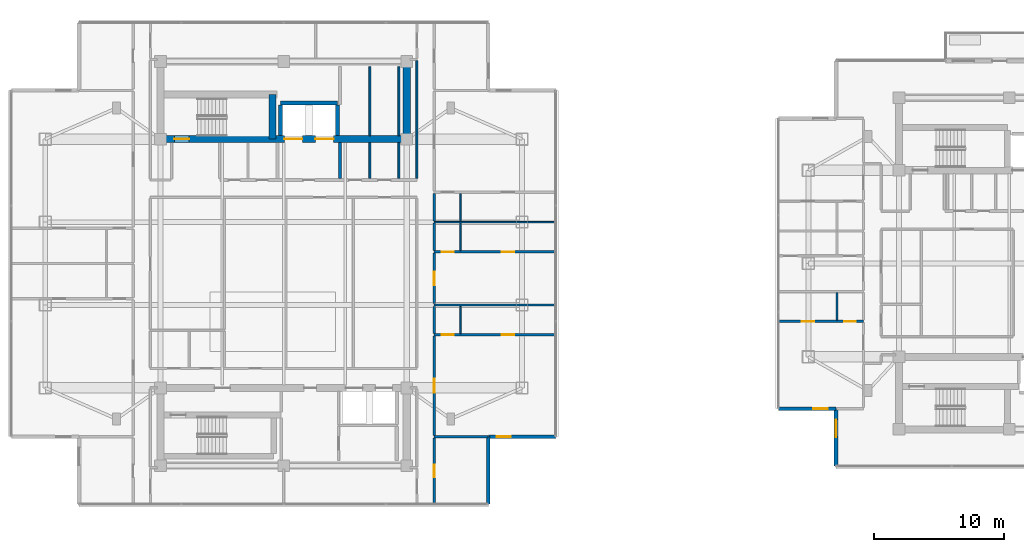
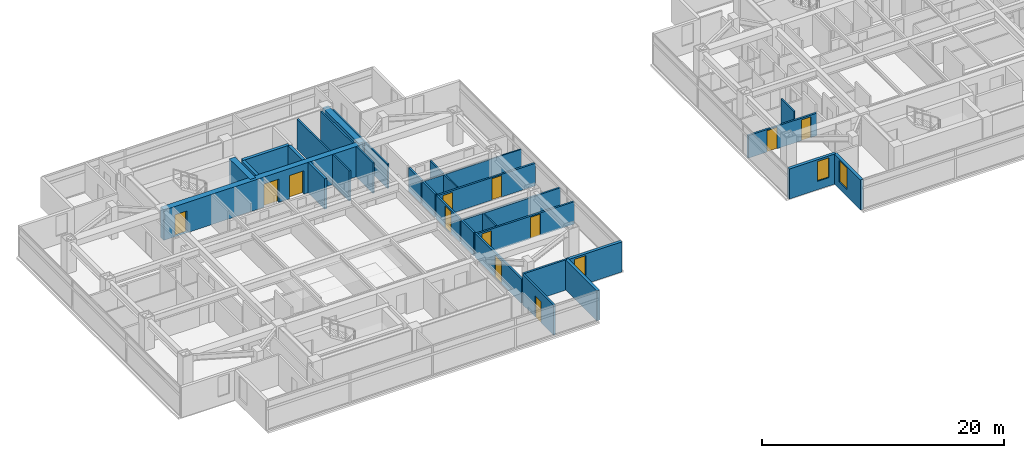
# One storey, part 15 of 26: 32 walls, 12 doors, 3 windows, 15 openings.
"""IFC4 building model written with IfcOpenShell, lengths in metres."""

from ifc_helpers import new_model, si_unit, direction, frame, frame_2d, origin, place, context, subcontext, project, spatial, rectangle, extrude, material, layer, layer_set, type_object, element, fill, save


model = new_model("IFC4")

# Units and contexts
model_context = context("Model", 3, precision=1e-05, world=origin(), true_north=direction((0.0, 1.0)))
body_context = subcontext(model_context, "Body", "Model", "MODEL_VIEW")
ifc_project = project(units=[si_unit("LENGTHUNIT", "METRE"), si_unit("AREAUNIT", "SQUARE_METRE"), si_unit("VOLUMEUNIT", "CUBIC_METRE"), si_unit("PLANEANGLEUNIT", "RADIAN"), si_unit("MASSUNIT", "GRAM", prefix="KILO")], contexts=[model_context])

# Site, building, storey
site_placement = place(None, origin())
site = spatial("IfcSite", under=ifc_project, at=site_placement, CompositionType="ELEMENT")
building_placement = place(site_placement, origin())
building = spatial("IfcBuilding", under=site, at=building_placement, Name="Mirazonda Arch Towers", CompositionType="ELEMENT")
storey_placement = place(building_placement, frame((0.0, 0.0, 203.14990234375)))
storey = spatial("IfcBuildingStorey", under=building, at=storey_placement, Name="L58", CompositionType="ELEMENT", Elevation=203.14990234375)

# Wall
ifc_material_1 = material(Name="Concrete C50/60", Category="concrete")
ifc_layer_1 = layer(ifc_material_1, 0.550048828125, Name="WALL-CORE-550")
ifc_layer_set_1 = layer_set([ifc_layer_1], Name="Concrete C50/60")
wall_type_1 = type_object("IfcWallType", Name="WALL-CORE-550", PredefinedType="SHEAR", material=ifc_layer_set_1)
wall_1_placement = place(storey_placement, frame((30.0, 37.60009765625, 0.0), z_axis=(0.0, 0.0, 1.0), x_axis=(0.0, 1.0, 0.0)))
element("IfcWall", 1, at=wall_1_placement, inside=storey, type_object=wall_type_1, Name="L58 T1N-E Core Shear Wall", PredefinedType="SHEAR", context=body_context, shape_type="SweptSolid", body=[
    extrude(rectangle(XDim=6.0, YDim=0.550048828125, at=frame_2d((3.0, 0.0))), origin(), (0.0, 0.0, 1.0), 3.050048828125),
])

# Wall, openings, doors
wall_2_placement = place(storey_placement, frame((11.0, 37.60009765625, 0.0), z_axis=(0.0, 0.0, 1.0), x_axis=(1.0, 0.0, 0.0)))
wall_2 = element("IfcWall", 2, at=wall_2_placement, inside=storey, type_object=wall_type_1, Name="L58 T1N-S Core Shear Wall", PredefinedType="SHEAR", context=body_context, shape_type="SweptSolid", body=[
    extrude(rectangle(XDim=19.0, YDim=0.550048828125, at=frame_2d((9.5, 0.0))), origin(), (0.0, 0.0, 1.0), 3.050048828125),
])
opening_1_placement = place(wall_2_placement, frame((1.06005859375, 0.0, 0.0)))
opening_1 = element("IfcOpeningElement", 3, at=opening_1_placement, cuts=wall_2, Name="Opening DR-135", PredefinedType="OPENING", context=body_context, shape_type="SweptSolid", body=[
    extrude(rectangle(XDim=1.14990234375, YDim=2.199951171875, at=frame_2d((0.574951171875, 1.10009765625))), frame((0.0, 0.284912109375, 0.0), z_axis=(0.0, -1.0, 0.0), x_axis=(1.0, 0.0, 0.0)), (0.0, 0.0, 1.0), 0.570068359375),
])
opening_2_placement = place(wall_2_placement, frame((9.550048828125, 0.0, 0.0)))
opening_2 = element("IfcOpeningElement", 4, at=opening_2_placement, cuts=wall_2, Name="Opening LD-112", PredefinedType="OPENING", context=body_context, shape_type="SweptSolid", body=[
    extrude(rectangle(XDim=1.39990234375, YDim=2.35009765625, at=frame_2d((0.699951171875, 1.175048828125))), frame((0.0, 0.284912109375, 0.0), z_axis=(0.0, -1.0, 0.0), x_axis=(1.0, 0.0, 0.0)), (0.0, 0.0, 1.0), 0.570068359375),
])
opening_3_placement = place(wall_2_placement, frame((11.949951171875, 0.0, 0.0)))
opening_3 = element("IfcOpeningElement", 5, at=opening_3_placement, cuts=wall_2, Name="Opening LD-112", PredefinedType="OPENING", context=body_context, shape_type="SweptSolid", body=[
    extrude(rectangle(XDim=1.39990234375, YDim=2.35009765625, at=frame_2d((0.699951171875, 1.175048828125))), frame((0.0, 0.284912109375, 0.0), z_axis=(0.0, -1.0, 0.0), x_axis=(1.0, 0.0, 0.0)), (0.0, 0.0, 1.0), 0.570068359375),
])
ifc_material_2 = material(Name="Architectural Brushed Steel S355", Category="steel")
door_type_1 = type_object("IfcDoorType", Name="DOOR-LIFT-FFL-1400", OperationType="NOTDEFINED", PredefinedType="DOOR", material=ifc_material_2)
door_1_placement = place(opening_2_placement, origin())
door_1 = element("IfcDoor", 6, at=door_1_placement, inside=storey, type_object=door_type_1, Name="L58 Lift Landing Sliding Door FFL-T1", OperationType="DOUBLE_DOOR_SLIDING", OverallHeight=2.35009765625, OverallWidth=1.39990234375, PredefinedType="DOOR", context=body_context, shape_type="SweptSolid", body=[
    extrude(rectangle(XDim=1.39990234375, YDim=2.35009765625, at=frame_2d((0.699951171875, 1.175048828125))), frame((0.0, 0.02490234375, 0.0), z_axis=(0.0, -1.0, 0.0), x_axis=(1.0, 0.0, 0.0)), (0.0, 0.0, 1.0), 0.050048828125),
])
fill(opening_2, door_1)
door_2_placement = place(opening_3_placement, origin())
door_2 = element("IfcDoor", 7, at=door_2_placement, inside=storey, type_object=door_type_1, Name="L58 Lift Landing Sliding Door SVL-T1", OperationType="DOUBLE_DOOR_SLIDING", OverallHeight=2.35009765625, OverallWidth=1.39990234375, PredefinedType="DOOR", context=body_context, shape_type="SweptSolid", body=[
    extrude(rectangle(XDim=1.39990234375, YDim=2.35009765625, at=frame_2d((0.699951171875, 1.175048828125))), frame((0.0, 0.02490234375, 0.0), z_axis=(0.0, -1.0, 0.0), x_axis=(1.0, 0.0, 0.0)), (0.0, 0.0, 1.0), 0.050048828125),
])
fill(opening_3, door_2)
door_type_2 = type_object("IfcDoorType", Name="DOOR-STAIR-FD90-1150", OperationType="NOTDEFINED", PredefinedType="DOOR", material=ifc_material_2)
door_3_placement = place(opening_1_placement, origin())
door_3 = element("IfcDoor", 8, at=door_3_placement, inside=storey, type_object=door_type_2, Name="L58 Protected Exit Stair North Door", OperationType="SINGLE_SWING_LEFT", OverallHeight=2.199951171875, OverallWidth=1.14990234375, PredefinedType="DOOR", context=body_context, shape_type="SweptSolid", body=[
    extrude(rectangle(XDim=1.14990234375, YDim=2.199951171875, at=frame_2d((0.574951171875, 1.10009765625))), frame((0.0, 0.02490234375, 0.0), z_axis=(0.0, -1.0, 0.0), x_axis=(1.0, 0.0, 0.0)), (0.0, 0.0, 1.0), 0.050048828125),
])
fill(opening_1, door_3)

# Wall
wall_3_placement = place(storey_placement, frame((19.64990234375, 37.60009765625, 0.0), z_axis=(0.0, 0.0, 1.0), x_axis=(0.0, 1.0, 0.0)))
element("IfcWall", 9, at=wall_3_placement, inside=storey, type_object=wall_type_1, Name="L58 T1N-STE Core Shear Wall", PredefinedType="SHEAR", context=body_context, shape_type="SweptSolid", body=[
    extrude(rectangle(XDim=3.44287109375, YDim=0.550048828125, at=frame_2d((1.721435546875, 0.0))), origin(), (0.0, 0.0, 1.0), 3.050048828125),
])

# Wall, opening, window
ifc_material_3 = material(Name="Precast Concrete C40/50", Category="concrete")
ifc_layer_2 = layer(ifc_material_3, 0.280029296875, Name="WALL-EXT-WALL-280")
ifc_layer_set_2 = layer_set([ifc_layer_2], Name="Precast Concrete C40/50")
wall_type_2 = type_object("IfcWallType", Name="WALL-EXT-WALL-280", PredefinedType="SOLIDWALL", material=ifc_layer_set_2)
wall_4_placement = place(storey_placement, frame((36.294921875, 14.636962890625, 0.0), z_axis=(0.0, 0.0, 1.0), x_axis=(1.0, 0.0, 0.0)))
wall_4 = element("IfcWall", 10, at=wall_4_placement, inside=storey, type_object=wall_type_2, Name="L58 T1 Corner Notch Return Wall WL-L58-T1-CSE1", PredefinedType="SOLIDWALL", context=body_context, shape_type="SweptSolid", body=[
    extrude(rectangle(XDim=5.215087890625, YDim=0.280029296875, at=frame_2d((2.607421875, 0.0))), origin(), (0.0, 0.0, 1.0), 3.030029296875),
])
opening_4_placement = place(wall_4_placement, frame((0.64990234375, 0.0, 0.85009765625)))
opening_4 = element("IfcOpeningElement", 11, at=opening_4_placement, cuts=wall_4, Name="Opening WN-108", PredefinedType="OPENING", context=body_context, shape_type="SweptSolid", body=[
    extrude(rectangle(XDim=1.10009765625, YDim=2.0, at=frame_2d((0.550048828125, 1.0))), frame((0.0, 0.14990234375, 0.0), z_axis=(0.0, -1.0, 0.0), x_axis=(1.0, 0.0, 0.0)), (0.0, 0.0, 1.0), 0.300048828125),
])
ifc_material_4 = material(Name="Insulated Low-E Solar Glass", Category="glass")
window_type_1 = type_object("IfcWindowType", Name="WIN-NOTCH-1100x2000", PartitioningType="SINGLE_PANEL", PredefinedType="WINDOW", material=ifc_material_4)
window_1_placement = place(opening_4_placement, origin())
window_1 = element("IfcWindow", 12, at=window_1_placement, inside=storey, type_object=window_type_1, Name="L58 Punched Facade Window WN-L58-T1-CSE1", OverallHeight=2.0, OverallWidth=1.10009765625, PartitioningType="SINGLE_PANEL", PredefinedType="WINDOW", context=body_context, shape_type="SweptSolid", body=[
    extrude(rectangle(XDim=1.10009765625, YDim=2.0, at=frame_2d((0.550048828125, 1.0))), frame((0.0, 0.030029296875, 0.0), z_axis=(0.0, -1.0, 0.0), x_axis=(1.0, 0.0, 0.0)), (0.0, 0.0, 1.0), 0.06005859375),
])
fill(opening_4, window_1)

# Wall
wall_5_placement = place(storey_placement, frame((36.294921875, 9.422119140625, 0.0), z_axis=(0.0, 0.0, 1.0), x_axis=(0.0, 1.0, 0.0)))
element("IfcWall", 13, at=wall_5_placement, inside=storey, type_object=wall_type_2, Name="L58 T1 Corner Notch Return Wall WL-L58-T1-CSE2", PredefinedType="SOLIDWALL", context=body_context, shape_type="SweptSolid", body=[
    extrude(rectangle(XDim=5.21484375, YDim=0.280029296875, at=frame_2d((2.607421875, 0.0))), origin(), (0.0, 0.0, 1.0), 3.030029296875),
])

# Wall, opening, window
wall_6_placement = place(storey_placement, frame((63.13427734375, 16.801513671875, 0.0), z_axis=(0.0, 0.0, 1.0), x_axis=(0.0, -1.0, 0.0)))
wall_6 = element("IfcWall", 14, at=wall_6_placement, inside=storey, type_object=wall_type_2, Name="L58 T2 Notched SW Corner Wall WL-L58-T2-CSW", PredefinedType="SOLIDWALL", context=body_context, shape_type="SweptSolid", body=[
    extrude(rectangle(XDim=4.439697265625, YDim=0.280029296875, at=frame_2d((2.2197265625, 0.0))), origin(), (0.0, 0.0, 1.0), 3.030029296875),
])
opening_5_placement = place(wall_6_placement, frame((0.85009765625, 0.0, 0.679931640625)))
opening_5 = element("IfcOpeningElement", 15, at=opening_5_placement, cuts=wall_6, Name="Opening WN-104", PredefinedType="OPENING", context=body_context, shape_type="SweptSolid", body=[
    extrude(rectangle(XDim=1.35009765625, YDim=2.199951171875, at=frame_2d((0.675048828125, 1.10009765625))), frame((0.0, 0.14990234375, 0.0), z_axis=(0.0, -1.0, 0.0), x_axis=(1.0, 0.0, 0.0)), (0.0, 0.0, 1.0), 0.300048828125),
])
window_type_2 = type_object("IfcWindowType", Name="WIN-RES-1350x2200", PartitioningType="SINGLE_PANEL", PredefinedType="WINDOW", material=ifc_material_4)
window_2_placement = place(opening_5_placement, origin())
window_2 = element("IfcWindow", 16, at=window_2_placement, inside=storey, type_object=window_type_2, Name="L58 Punched Facade Window WN-L58-T2-CSW", OverallHeight=2.199951171875, OverallWidth=1.35009765625, PartitioningType="SINGLE_PANEL", PredefinedType="WINDOW", context=body_context, shape_type="SweptSolid", body=[
    extrude(rectangle(XDim=1.35009765625, YDim=2.199951171875, at=frame_2d((0.675048828125, 1.10009765625))), frame((0.0, 0.030029296875, 0.0), z_axis=(0.0, -1.0, 0.0), x_axis=(1.0, 0.0, 0.0)), (0.0, 0.0, 1.0), 0.06005859375),
])
fill(opening_5, window_2)

wall_7_placement = place(storey_placement, frame((58.694580078125, 16.801513671875, 0.0), z_axis=(0.0, 0.0, 1.0), x_axis=(1.0, 0.0, 0.0)))
wall_7 = element("IfcWall", 17, at=wall_7_placement, inside=storey, type_object=wall_type_2, Name="L58 T2 Corner Notch Return Wall WL-L58-T2-CSW2", PredefinedType="SOLIDWALL", context=body_context, shape_type="SweptSolid", body=[
    extrude(rectangle(XDim=4.439697265625, YDim=0.280029296875, at=frame_2d((2.2197265625, 0.0))), origin(), (0.0, 0.0, 1.0), 3.030029296875),
])
opening_6_placement = place(wall_7_placement, frame((2.68994140625, 0.0, 0.85009765625)))
opening_6 = element("IfcOpeningElement", 18, at=opening_6_placement, cuts=wall_7, Name="Opening WN-108", PredefinedType="OPENING", context=body_context, shape_type="SweptSolid", body=[
    extrude(rectangle(XDim=1.10009765625, YDim=2.0, at=frame_2d((0.550048828125, 1.0))), frame((0.0, 0.14990234375, 0.0), z_axis=(0.0, -1.0, 0.0), x_axis=(1.0, 0.0, 0.0)), (0.0, 0.0, 1.0), 0.300048828125),
])
window_3_placement = place(opening_6_placement, origin())
window_3 = element("IfcWindow", 19, at=window_3_placement, inside=storey, type_object=window_type_1, Name="L58 Punched Facade Window WN-L58-T2-CSW2", OverallHeight=2.0, OverallWidth=1.10009765625, PartitioningType="SINGLE_PANEL", PredefinedType="WINDOW", context=body_context, shape_type="SweptSolid", body=[
    extrude(rectangle(XDim=1.10009765625, YDim=2.0, at=frame_2d((0.550048828125, 1.0))), frame((0.0, 0.030029296875, 0.0), z_axis=(0.0, -1.0, 0.0), x_axis=(1.0, 0.0, 0.0)), (0.0, 0.0, 1.0), 0.06005859375),
])
fill(opening_6, window_3)

# Walls
ifc_material_5 = material(Name="Concrete C40/50", Category="concrete")
ifc_layer_3 = layer(ifc_material_5, 0.219970703125, Name="WALL-FFL-220")
ifc_layer_set_3 = layer_set([ifc_layer_3], Name="Concrete C40/50")
wall_type_3 = type_object("IfcWallType", Name="WALL-FFL-220", PredefinedType="SOLIDWALL", material=ifc_layer_set_3)
wall_8_placement = place(storey_placement, frame((24.85009765625, 34.570068359375, 0.0), z_axis=(0.0, 0.0, 1.0), x_axis=(0.0, 1.0, 0.0)))
element("IfcWall", 20, at=wall_8_placement, inside=storey, type_object=wall_type_3, Name="L58 Interior Partition 089", PredefinedType="SOLIDWALL", context=body_context, shape_type="SweptSolid", body=[
    extrude(rectangle(XDim=2.760009765625, YDim=0.219970703125, at=frame_2d((1.3798828125, 0.0))), origin(), (0.0, 0.0, 1.0), 3.050048828125),
])
ifc_material_6 = material(Name="Fire-Rated Gypsum Stud Partition")
ifc_layer_4 = layer(ifc_material_6, 0.14990234375, Name="WALL-PART-CORR-150")
ifc_layer_set_4 = layer_set([ifc_layer_4], Name="Fire-Rated Gypsum Stud Partition")
wall_type_4 = type_object("IfcWallType", Name="WALL-PART-CORR-150", PredefinedType="PARTITIONING", material=ifc_layer_set_4)
wall_9_placement = place(storey_placement, frame((27.14990234375, 34.570068359375, 0.0), z_axis=(0.0, 0.0, 1.0), x_axis=(0.0, 1.0, 0.0)))
element("IfcWall", 21, at=wall_9_placement, inside=storey, type_object=wall_type_4, Name="L58 Interior Partition 092", PredefinedType="PARTITIONING", context=body_context, shape_type="SweptSolid", body=[
    extrude(rectangle(XDim=2.760009765625, YDim=0.14990234375, at=frame_2d((1.3798828125, 0.0))), origin(), (0.0, 0.0, 1.0), 3.050048828125),
])
wall_10_placement = place(storey_placement, frame((27.14990234375, 37.8701171875, 0.0), z_axis=(0.0, 0.0, 1.0), x_axis=(0.0, 1.0, 0.0)))
element("IfcWall", 22, at=wall_10_placement, inside=storey, type_object=wall_type_4, Name="L58 Interior Partition 093", PredefinedType="PARTITIONING", context=body_context, shape_type="SweptSolid", body=[
    extrude(rectangle(XDim=5.329833984375, YDim=0.14990234375, at=frame_2d((2.6650390625, 0.0))), origin(), (0.0, 0.0, 1.0), 3.050048828125),
])
wall_11_placement = place(storey_placement, frame((29.39990234375, 34.570068359375, 0.0), z_axis=(0.0, 0.0, 1.0), x_axis=(0.0, 1.0, 0.0)))
element("IfcWall", 23, at=wall_11_placement, inside=storey, type_object=wall_type_4, Name="L58 Interior Partition 096", PredefinedType="PARTITIONING", context=body_context, shape_type="SweptSolid", body=[
    extrude(rectangle(XDim=2.760009765625, YDim=0.14990234375, at=frame_2d((1.3798828125, 0.0))), origin(), (0.0, 0.0, 1.0), 3.050048828125),
])
wall_12_placement = place(storey_placement, frame((29.39990234375, 37.8701171875, 0.0), z_axis=(0.0, 0.0, 1.0), x_axis=(0.0, 1.0, 0.0)))
element("IfcWall", 24, at=wall_12_placement, inside=storey, type_object=wall_type_4, Name="L58 Interior Partition 097", PredefinedType="PARTITIONING", context=body_context, shape_type="SweptSolid", body=[
    extrude(rectangle(XDim=5.329833984375, YDim=0.14990234375, at=frame_2d((2.6650390625, 0.0))), origin(), (0.0, 0.0, 1.0), 3.050048828125),
])
wall_13_placement = place(storey_placement, frame((30.780029296875, 34.570068359375, 0.0), z_axis=(0.0, 0.0, 1.0), x_axis=(0.0, 1.0, 0.0)))
element("IfcWall", 25, at=wall_13_placement, inside=storey, type_object=wall_type_4, Name="L58 Interior Partition 101", PredefinedType="PARTITIONING", context=body_context, shape_type="SweptSolid", body=[
    extrude(rectangle(XDim=9.094970703125, YDim=0.14990234375, at=frame_2d((4.54736328125, 0.0))), origin(), (0.0, 0.0, 1.0), 2.442138671875),
])
ifc_material_7 = material(Name="Fire-Rated Gypsum Twin-Stud Assembly")
ifc_layer_5 = layer(ifc_material_7, 0.179931640625, Name="WALL-PART-DEMISE-180")
ifc_layer_set_5 = layer_set([ifc_layer_5], Name="Fire-Rated Gypsum Twin-Stud Assembly")
wall_type_5 = type_object("IfcWallType", Name="WALL-PART-DEMISE-180", PredefinedType="PARTITIONING", material=ifc_layer_set_5)
wall_14_placement = place(storey_placement, frame((32.1201171875, 14.636962890625, 0.0), z_axis=(0.0, 0.0, 1.0), x_axis=(1.0, 0.0, 0.0)))
element("IfcWall", 26, at=wall_14_placement, inside=storey, type_object=wall_type_5, Name="L58 Interior Partition 005", PredefinedType="PARTITIONING", context=body_context, shape_type="SweptSolid", body=[
    extrude(rectangle(XDim=4.15478515625, YDim=0.179931640625, at=frame_2d((2.077392578125, 0.0))), origin(), (0.0, 0.0, 1.0), 3.050048828125),
])

# Wall, openings, doors
wall_15_placement = place(storey_placement, frame((32.1201171875, 22.5, 0.0), z_axis=(0.0, 0.0, 1.0), x_axis=(1.0, 0.0, 0.0)))
wall_15 = element("IfcWall", 27, at=wall_15_placement, inside=storey, type_object=wall_type_5, Name="L58 Interior Partition 020", PredefinedType="PARTITIONING", context=body_context, shape_type="SweptSolid", body=[
    extrude(rectangle(XDim=9.389892578125, YDim=0.179931640625, at=frame_2d((4.69482421875, 0.0))), origin(), (0.0, 0.0, 1.0), 2.26904296875),
])
opening_7_placement = place(wall_15_placement, frame((5.219970703125, 0.0, 0.0)))
opening_7 = element("IfcOpeningElement", 28, at=opening_7_placement, cuts=wall_15, Name="Opening DR-104", PredefinedType="OPENING", context=body_context, shape_type="SweptSolid", body=[
    extrude(rectangle(XDim=0.949951171875, YDim=2.14990234375, at=frame_2d((0.47509765625, 1.074951171875))), frame((0.0, 0.099853515625, 0.0), z_axis=(0.0, -1.0, 0.0), x_axis=(1.0, 0.0, 0.0)), (0.0, 0.0, 1.0), 0.199951171875),
])
opening_8_placement = place(wall_15_placement, frame((0.590087890625, 0.0, 0.0)))
opening_8 = element("IfcOpeningElement", 29, at=opening_8_placement, cuts=wall_15, Name="Opening DR-120", PredefinedType="OPENING", context=body_context, shape_type="SweptSolid", body=[
    extrude(rectangle(XDim=0.89990234375, YDim=2.10009765625, at=frame_2d((0.449951171875, 1.050048828125))), frame((0.0, 0.099853515625, 0.0), z_axis=(0.0, -1.0, 0.0), x_axis=(1.0, 0.0, 0.0)), (0.0, 0.0, 1.0), 0.199951171875),
])
door_type_3 = type_object("IfcDoorType", Name="DOOR-ROOM-950", OperationType="NOTDEFINED", PredefinedType="DOOR", material=ifc_material_2)
door_4_placement = place(opening_7_placement, origin())
door_4 = element("IfcDoor", 30, at=door_4_placement, inside=storey, type_object=door_type_3, Name="L58 Suite Bedroom 1 Door", OperationType="SINGLE_SWING_LEFT", OverallHeight=2.14990234375, OverallWidth=0.949951171875, PredefinedType="DOOR", context=body_context, shape_type="SweptSolid", body=[
    extrude(rectangle(XDim=0.949951171875, YDim=2.14990234375, at=frame_2d((0.47509765625, 1.074951171875))), frame((0.0, 0.02490234375, 0.0), z_axis=(0.0, -1.0, 0.0), x_axis=(1.0, 0.0, 0.0)), (0.0, 0.0, 1.0), 0.050048828125),
])
fill(opening_7, door_4)
door_type_4 = type_object("IfcDoorType", Name="DOOR-WC-900", OperationType="NOTDEFINED", PredefinedType="DOOR", material=ifc_material_2)
door_5_placement = place(opening_8_placement, origin())
door_5 = element("IfcDoor", 31, at=door_5_placement, inside=storey, type_object=door_type_4, Name="L58 Suite En-Suite Bathroom 1 Door", OperationType="SINGLE_SWING_RIGHT", OverallHeight=2.10009765625, OverallWidth=0.89990234375, PredefinedType="DOOR", context=body_context, shape_type="SweptSolid", body=[
    extrude(rectangle(XDim=0.89990234375, YDim=2.10009765625, at=frame_2d((0.449951171875, 1.050048828125))), frame((0.0, 0.02490234375, 0.0), z_axis=(0.0, -1.0, 0.0), x_axis=(1.0, 0.0, 0.0)), (0.0, 0.0, 1.0), 0.050048828125),
])
fill(opening_8, door_5)

wall_16_placement = place(storey_placement, frame((58.694091796875, 23.533935546875, 0.0), z_axis=(0.0, 0.0, 1.0), x_axis=(1.0, 0.0, 0.0)))
wall_16 = element("IfcWall", 32, at=wall_16_placement, inside=storey, type_object=wall_type_5, Name="L58 Interior Partition 024", PredefinedType="PARTITIONING", context=body_context, shape_type="SweptSolid", body=[
    extrude(rectangle(XDim=6.555908203125, YDim=0.179931640625, at=frame_2d((3.27783203125, 0.0))), origin(), (0.0, 0.0, 1.0), 2.26904296875),
])
opening_9_placement = place(wall_16_placement, frame((1.802978515625, 0.0, 0.0)))
opening_9 = element("IfcOpeningElement", 33, at=opening_9_placement, cuts=wall_16, Name="Opening DR-104", PredefinedType="OPENING", context=body_context, shape_type="SweptSolid", body=[
    extrude(rectangle(XDim=0.949951171875, YDim=2.14990234375, at=frame_2d((0.47509765625, 1.074951171875))), frame((0.0, 0.099853515625, 0.0), z_axis=(0.0, -1.0, 0.0), x_axis=(1.0, 0.0, 0.0)), (0.0, 0.0, 1.0), 0.199951171875),
])
opening_10_placement = place(wall_16_placement, frame((5.06591796875, 0.0, 0.0)))
opening_10 = element("IfcOpeningElement", 34, at=opening_10_placement, cuts=wall_16, Name="Opening DR-120", PredefinedType="OPENING", context=body_context, shape_type="SweptSolid", body=[
    extrude(rectangle(XDim=0.89990234375, YDim=2.10009765625, at=frame_2d((0.449951171875, 1.050048828125))), frame((0.0, 0.099853515625, 0.0), z_axis=(0.0, -1.0, 0.0), x_axis=(1.0, 0.0, 0.0)), (0.0, 0.0, 1.0), 0.199951171875),
])
door_6_placement = place(opening_9_placement, origin())
door_6 = element("IfcDoor", 35, at=door_6_placement, inside=storey, type_object=door_type_3, Name="L58 Studio 1 Galley Kitchen Door", OperationType="SINGLE_SWING_RIGHT", OverallHeight=2.14990234375, OverallWidth=0.949951171875, PredefinedType="DOOR", context=body_context, shape_type="SweptSolid", body=[
    extrude(rectangle(XDim=0.949951171875, YDim=2.14990234375, at=frame_2d((0.47509765625, 1.074951171875))), frame((0.0, 0.02490234375, 0.0), z_axis=(0.0, -1.0, 0.0), x_axis=(1.0, 0.0, 0.0)), (0.0, 0.0, 1.0), 0.050048828125),
])
fill(opening_9, door_6)
door_7_placement = place(opening_10_placement, origin())
door_7 = element("IfcDoor", 36, at=door_7_placement, inside=storey, type_object=door_type_4, Name="L58 Studio 1 Bathroom Door", OperationType="SINGLE_SWING_LEFT", OverallHeight=2.10009765625, OverallWidth=0.89990234375, PredefinedType="DOOR", context=body_context, shape_type="SweptSolid", body=[
    extrude(rectangle(XDim=0.89990234375, YDim=2.10009765625, at=frame_2d((0.449951171875, 1.050048828125))), frame((0.0, 0.02490234375, 0.0), z_axis=(0.0, -1.0, 0.0), x_axis=(1.0, 0.0, 0.0)), (0.0, 0.0, 1.0), 0.050048828125),
])
fill(opening_10, door_7)

# Wall
wall_17_placement = place(storey_placement, frame((32.1201171875, 24.800048828125, 0.0), z_axis=(0.0, 0.0, 1.0), x_axis=(1.0, 0.0, 0.0)))
element("IfcWall", 37, at=wall_17_placement, inside=storey, type_object=wall_type_5, Name="L58 Interior Partition 025", PredefinedType="PARTITIONING", context=body_context, shape_type="SweptSolid", body=[
    extrude(rectangle(XDim=9.389892578125, YDim=0.179931640625, at=frame_2d((4.69482421875, 0.0))), origin(), (0.0, 0.0, 1.0), 2.26904296875),
])

# Wall, openings, doors
wall_18_placement = place(storey_placement, frame((32.1201171875, 28.89990234375, 0.0), z_axis=(0.0, 0.0, 1.0), x_axis=(1.0, 0.0, 0.0)))
wall_18 = element("IfcWall", 38, at=wall_18_placement, inside=storey, type_object=wall_type_5, Name="L58 Interior Partition 033", PredefinedType="PARTITIONING", context=body_context, shape_type="SweptSolid", body=[
    extrude(rectangle(XDim=9.389892578125, YDim=0.179931640625, at=frame_2d((4.69482421875, 0.0))), origin(), (0.0, 0.0, 1.0), 2.26904296875),
])
opening_11_placement = place(wall_18_placement, frame((5.219970703125, 0.0, 0.0)))
opening_11 = element("IfcOpeningElement", 39, at=opening_11_placement, cuts=wall_18, Name="Opening DR-104", PredefinedType="OPENING", context=body_context, shape_type="SweptSolid", body=[
    extrude(rectangle(XDim=0.949951171875, YDim=2.14990234375, at=frame_2d((0.47509765625, 1.074951171875))), frame((0.0, 0.099853515625, 0.0), z_axis=(0.0, -1.0, 0.0), x_axis=(1.0, 0.0, 0.0)), (0.0, 0.0, 1.0), 0.199951171875),
])
opening_12_placement = place(wall_18_placement, frame((0.590087890625, 0.0, 0.0)))
opening_12 = element("IfcOpeningElement", 40, at=opening_12_placement, cuts=wall_18, Name="Opening DR-120", PredefinedType="OPENING", context=body_context, shape_type="SweptSolid", body=[
    extrude(rectangle(XDim=0.89990234375, YDim=2.10009765625, at=frame_2d((0.449951171875, 1.050048828125))), frame((0.0, 0.099853515625, 0.0), z_axis=(0.0, -1.0, 0.0), x_axis=(1.0, 0.0, 0.0)), (0.0, 0.0, 1.0), 0.199951171875),
])
door_8_placement = place(opening_11_placement, origin())
door_8 = element("IfcDoor", 41, at=door_8_placement, inside=storey, type_object=door_type_3, Name="L58 Guestroom Study 2 Door", OperationType="SINGLE_SWING_RIGHT", OverallHeight=2.14990234375, OverallWidth=0.949951171875, PredefinedType="DOOR", context=body_context, shape_type="SweptSolid", body=[
    extrude(rectangle(XDim=0.949951171875, YDim=2.14990234375, at=frame_2d((0.47509765625, 1.074951171875))), frame((0.0, 0.02490234375, 0.0), z_axis=(0.0, -1.0, 0.0), x_axis=(1.0, 0.0, 0.0)), (0.0, 0.0, 1.0), 0.050048828125),
])
fill(opening_11, door_8)
door_9_placement = place(opening_12_placement, origin())
door_9 = element("IfcDoor", 42, at=door_9_placement, inside=storey, type_object=door_type_4, Name="L58 En-Suite Bathroom 2 Door", OperationType="SINGLE_SWING_LEFT", OverallHeight=2.10009765625, OverallWidth=0.89990234375, PredefinedType="DOOR", context=body_context, shape_type="SweptSolid", body=[
    extrude(rectangle(XDim=0.89990234375, YDim=2.10009765625, at=frame_2d((0.449951171875, 1.050048828125))), frame((0.0, 0.02490234375, 0.0), z_axis=(0.0, -1.0, 0.0), x_axis=(1.0, 0.0, 0.0)), (0.0, 0.0, 1.0), 0.050048828125),
])
fill(opening_12, door_9)

# Wall, opening, door
wall_19_placement = place(storey_placement, frame((32.1201171875, 9.422119140625, 0.0), z_axis=(0.0, 0.0, 1.0), x_axis=(0.0, 1.0, 0.0)))
wall_19 = element("IfcWall", 43, at=wall_19_placement, inside=storey, type_object=wall_type_5, Name="L58 Interior Partition 103", PredefinedType="PARTITIONING", context=body_context, shape_type="SweptSolid", body=[
    extrude(rectangle(XDim=5.114990234375, YDim=0.179931640625, at=frame_2d((2.5576171875, 0.0))), origin(), (0.0, 0.0, 1.0), 3.050048828125),
])
opening_13_placement = place(wall_19_placement, frame((2.08251953125, 0.0, 0.0)))
opening_13 = element("IfcOpeningElement", 44, at=opening_13_placement, cuts=wall_19, Name="Opening DR-104", PredefinedType="OPENING", context=body_context, shape_type="SweptSolid", body=[
    extrude(rectangle(XDim=0.949951171875, YDim=2.14990234375, at=frame_2d((0.47509765625, 1.074951171875))), frame((0.0, 0.099853515625, 0.0), z_axis=(0.0, -1.0, 0.0), x_axis=(1.0, 0.0, 0.0)), (0.0, 0.0, 1.0), 0.199951171875),
])
door_10_placement = place(opening_13_placement, origin())
door_10 = element("IfcDoor", 45, at=door_10_placement, inside=storey, type_object=door_type_3, Name="L58 South Horizon Lounge Alcove East Door", OperationType="SINGLE_SWING_LEFT", OverallHeight=2.14990234375, OverallWidth=0.949951171875, PredefinedType="DOOR", context=body_context, shape_type="SweptSolid", body=[
    extrude(rectangle(XDim=0.949951171875, YDim=2.14990234375, at=frame_2d((0.47509765625, 1.074951171875))), frame((0.0, 0.02490234375, 0.0), z_axis=(0.0, -1.0, 0.0), x_axis=(1.0, 0.0, 0.0)), (0.0, 0.0, 1.0), 0.050048828125),
])
fill(opening_13, door_10)

wall_20_placement = place(storey_placement, frame((32.1201171875, 14.737060546875, 0.0), z_axis=(0.0, 0.0, 1.0), x_axis=(0.0, 1.0, 0.0)))
wall_20 = element("IfcWall", 46, at=wall_20_placement, inside=storey, type_object=wall_type_5, Name="L58 Interior Partition 104", PredefinedType="PARTITIONING", context=body_context, shape_type="SweptSolid", body=[
    extrude(rectangle(XDim=7.662841796875, YDim=0.179931640625, at=frame_2d((3.83154296875, 0.0))), origin(), (0.0, 0.0, 1.0), 2.442138671875),
])
opening_14_placement = place(wall_20_placement, frame((3.306396484375, 0.0, 0.0)))
opening_14 = element("IfcOpeningElement", 47, at=opening_14_placement, cuts=wall_20, Name="Opening DR-121", PredefinedType="OPENING", context=body_context, shape_type="SweptSolid", body=[
    extrude(rectangle(XDim=1.050048828125, YDim=2.199951171875, at=frame_2d((0.52490234375, 1.10009765625))), frame((0.0, 0.099853515625, 0.0), z_axis=(0.0, -1.0, 0.0), x_axis=(1.0, 0.0, 0.0)), (0.0, 0.0, 1.0), 0.199951171875),
])
door_type_5 = type_object("IfcDoorType", Name="DOOR-SUITE-FD60-1050", OperationType="NOTDEFINED", PredefinedType="DOOR", material=ifc_material_2)
door_11_placement = place(opening_14_placement, origin())
door_11 = element("IfcDoor", 48, at=door_11_placement, inside=storey, type_object=door_type_5, Name="L58 Presidential Hotel Suite 1 Door", OperationType="SINGLE_SWING_RIGHT", OverallHeight=2.199951171875, OverallWidth=1.050048828125, PredefinedType="DOOR", context=body_context, shape_type="SweptSolid", body=[
    extrude(rectangle(XDim=1.050048828125, YDim=2.199951171875, at=frame_2d((0.52490234375, 1.10009765625))), frame((0.0, 0.02490234375, 0.0), z_axis=(0.0, -1.0, 0.0), x_axis=(1.0, 0.0, 0.0)), (0.0, 0.0, 1.0), 0.050048828125),
])
fill(opening_14, door_11)

# Wall
wall_21_placement = place(storey_placement, frame((32.1201171875, 22.60009765625, 0.0), z_axis=(0.0, 0.0, 1.0), x_axis=(0.0, 1.0, 0.0)))
element("IfcWall", 49, at=wall_21_placement, inside=storey, type_object=wall_type_5, Name="L58 Interior Partition 105", PredefinedType="PARTITIONING", context=body_context, shape_type="SweptSolid", body=[
    extrude(rectangle(XDim=2.099853515625, YDim=0.179931640625, at=frame_2d((1.0498046875, 0.0))), origin(), (0.0, 0.0, 1.0), 2.34619140625),
])

# Wall, opening, door
wall_22_placement = place(storey_placement, frame((32.1201171875, 24.89990234375, 0.0), z_axis=(0.0, 0.0, 1.0), x_axis=(0.0, 1.0, 0.0)))
wall_22 = element("IfcWall", 50, at=wall_22_placement, inside=storey, type_object=wall_type_5, Name="L58 Interior Partition 106", PredefinedType="PARTITIONING", context=body_context, shape_type="SweptSolid", body=[
    extrude(rectangle(XDim=3.900146484375, YDim=0.179931640625, at=frame_2d((1.9501953125, 0.0))), origin(), (0.0, 0.0, 1.0), 2.34619140625),
])
opening_15_placement = place(wall_22_placement, frame((1.425048828125, 0.0, 0.0)))
opening_15 = element("IfcOpeningElement", 51, at=opening_15_placement, cuts=wall_22, Name="Opening DR-121", PredefinedType="OPENING", context=body_context, shape_type="SweptSolid", body=[
    extrude(rectangle(XDim=1.050048828125, YDim=2.199951171875, at=frame_2d((0.52490234375, 1.10009765625))), frame((0.0, 0.099853515625, 0.0), z_axis=(0.0, -1.0, 0.0), x_axis=(1.0, 0.0, 0.0)), (0.0, 0.0, 1.0), 0.199951171875),
])
door_12_placement = place(opening_15_placement, origin())
door_12 = element("IfcDoor", 52, at=door_12_placement, inside=storey, type_object=door_type_5, Name="L58 Twin Hotel Guestroom 2 Door", OperationType="SINGLE_SWING_LEFT", OverallHeight=2.199951171875, OverallWidth=1.050048828125, PredefinedType="DOOR", context=body_context, shape_type="SweptSolid", body=[
    extrude(rectangle(XDim=1.050048828125, YDim=2.199951171875, at=frame_2d((0.52490234375, 1.10009765625))), frame((0.0, 0.02490234375, 0.0), z_axis=(0.0, -1.0, 0.0), x_axis=(1.0, 0.0, 0.0)), (0.0, 0.0, 1.0), 0.050048828125),
])
fill(opening_15, door_12)

# Walls
for number, where, z_axis, x_axis, name in (
    (53, (32.1201171875, 29.0, 0.0), (0.0, 0.0, 1.0), (0.0, 1.0, 0.0), "L58 Interior Partition 107"),
    (54, (32.1201171875, 31.2724609375, 0.0), (0.0, 0.0, 1.0), (0.0, 1.0, 0.0), "L58 Interior Partition 108"),
):
    element("IfcWall", number, at=place(storey_placement, frame(where, z_axis=z_axis, x_axis=x_axis)), inside=storey, type_object=wall_type_5, Name=name, PredefinedType="PARTITIONING", context=body_context, shape_type="SweptSolid", body=[
        extrude(rectangle(XDim=2.12744140625, YDim=0.179931640625, at=frame_2d((1.063720703125, 0.0))), origin(), (0.0, 0.0, 1.0), 2.34619140625),
    ])
ifc_material_8 = material(Name="Acoustic Fire-Rated Gypsum Partition")
ifc_layer_6 = layer(ifc_material_8, 0.125, Name="WALL-PART-UNIT-125")
ifc_layer_set_6 = layer_set([ifc_layer_6], Name="Acoustic Fire-Rated Gypsum Partition")
wall_type_6 = type_object("IfcWallType", Name="WALL-PART-UNIT-125", PredefinedType="PARTITIONING", material=ifc_layer_set_6)
wall_23_placement = place(storey_placement, frame((32.1201171875, 31.199951171875, 0.0), z_axis=(0.0, 0.0, 1.0), x_axis=(1.0, 0.0, 0.0)))
element("IfcWall", 55, at=wall_23_placement, inside=storey, type_object=wall_type_6, Name="L58 Interior Partition 038", PredefinedType="PARTITIONING", context=body_context, shape_type="SweptSolid", body=[
    extrude(rectangle(XDim=9.389892578125, YDim=0.125, at=frame_2d((4.69482421875, 0.0))), origin(), (0.0, 0.0, 1.0), 2.26904296875),
])
wall_24_placement = place(storey_placement, frame((34.159912109375, 22.60009765625, 0.0), z_axis=(0.0, 0.0, 1.0), x_axis=(0.0, 1.0, 0.0)))
element("IfcWall", 56, at=wall_24_placement, inside=storey, type_object=wall_type_6, Name="L58 Interior Partition 111", PredefinedType="PARTITIONING", context=body_context, shape_type="SweptSolid", body=[
    extrude(rectangle(XDim=2.099853515625, YDim=0.125, at=frame_2d((1.0498046875, 0.0))), origin(), (0.0, 0.0, 1.0), 2.34619140625),
])
for number, where, z_axis, x_axis, name in (
    (57, (34.159912109375, 29.0, 0.0), (0.0, 0.0, 1.0), (0.0, 1.0, 0.0), "L58 Interior Partition 112"),
    (58, (34.159912109375, 31.2724609375, 0.0), (0.0, 0.0, 1.0), (0.0, 1.0, 0.0), "L58 Interior Partition 113"),
):
    element("IfcWall", number, at=place(storey_placement, frame(where, z_axis=z_axis, x_axis=x_axis)), inside=storey, type_object=wall_type_6, Name=name, PredefinedType="PARTITIONING", context=body_context, shape_type="SweptSolid", body=[
        extrude(rectangle(XDim=2.12744140625, YDim=0.125, at=frame_2d((1.063720703125, 0.0))), origin(), (0.0, 0.0, 1.0), 2.34619140625),
    ])
wall_25_placement = place(storey_placement, frame((63.2099609375, 23.634033203125, 0.0), z_axis=(0.0, 0.0, 1.0), x_axis=(0.0, 1.0, 0.0)))
element("IfcWall", 59, at=wall_25_placement, inside=storey, type_object=wall_type_6, Name="L58 Interior Partition 114", PredefinedType="PARTITIONING", context=body_context, shape_type="SweptSolid", body=[
    extrude(rectangle(XDim=2.114990234375, YDim=0.125, at=frame_2d((1.0576171875, 0.0))), origin(), (0.0, 0.0, 1.0), 3.050048828125),
])
ifc_layer_7 = layer(ifc_material_1, 0.300048828125, Name="WALL-SHAFT-300")
ifc_layer_set_7 = layer_set([ifc_layer_7], Name="Concrete C50/60")
wall_type_7 = type_object("IfcWallType", Name="WALL-SHAFT-300", PredefinedType="SOLIDWALL", material=ifc_layer_set_7)
wall_26_placement = place(storey_placement, frame((20.25, 40.39990234375, 0.0), z_axis=(0.0, 0.0, 1.0), x_axis=(1.0, 0.0, 0.0)))
element("IfcWall", 60, at=wall_26_placement, inside=storey, type_object=wall_type_7, Name="L58 Interior Partition 053", PredefinedType="SOLIDWALL", context=body_context, shape_type="SweptSolid", body=[
    extrude(rectangle(XDim=4.39990234375, YDim=0.300048828125, at=frame_2d((2.199951171875, 0.0))), origin(), (0.0, 0.0, 1.0), 3.050048828125),
])
for number, where, z_axis, x_axis, name in (
    (61, (20.25, 37.8701171875, 0.0), (0.0, 0.0, 1.0), (0.0, 1.0, 0.0), "L58 Interior Partition 082"),
    (62, (24.64990234375, 37.8701171875, 0.0), (0.0, 0.0, 1.0), (0.0, 1.0, 0.0), "L58 Interior Partition 088"),
):
    element("IfcWall", number, at=place(storey_placement, frame(where, z_axis=z_axis, x_axis=x_axis)), inside=storey, type_object=wall_type_7, Name=name, PredefinedType="SOLIDWALL", context=body_context, shape_type="SweptSolid", body=[
        extrude(rectangle(XDim=2.369873046875, YDim=0.300048828125, at=frame_2d((1.18505859375, 0.0))), origin(), (0.0, 0.0, 1.0), 3.050048828125),
    ])

save(model, "model.ifc")
